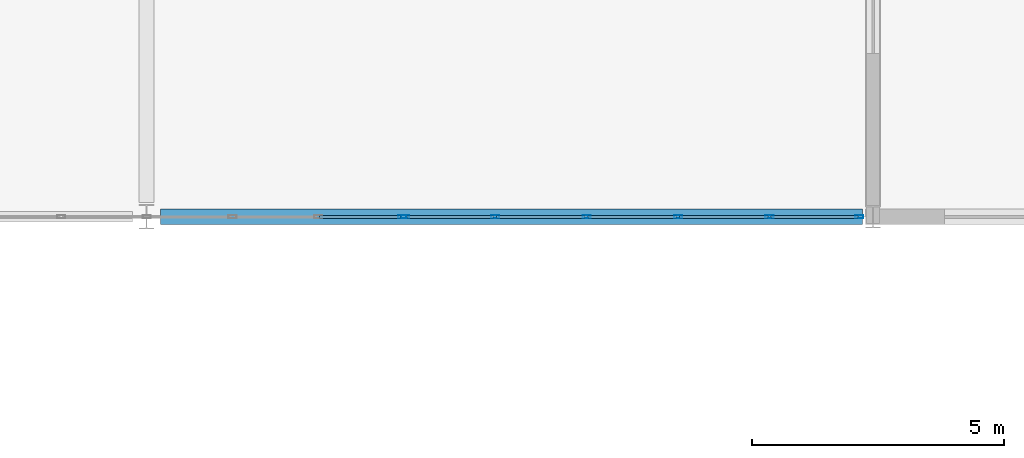
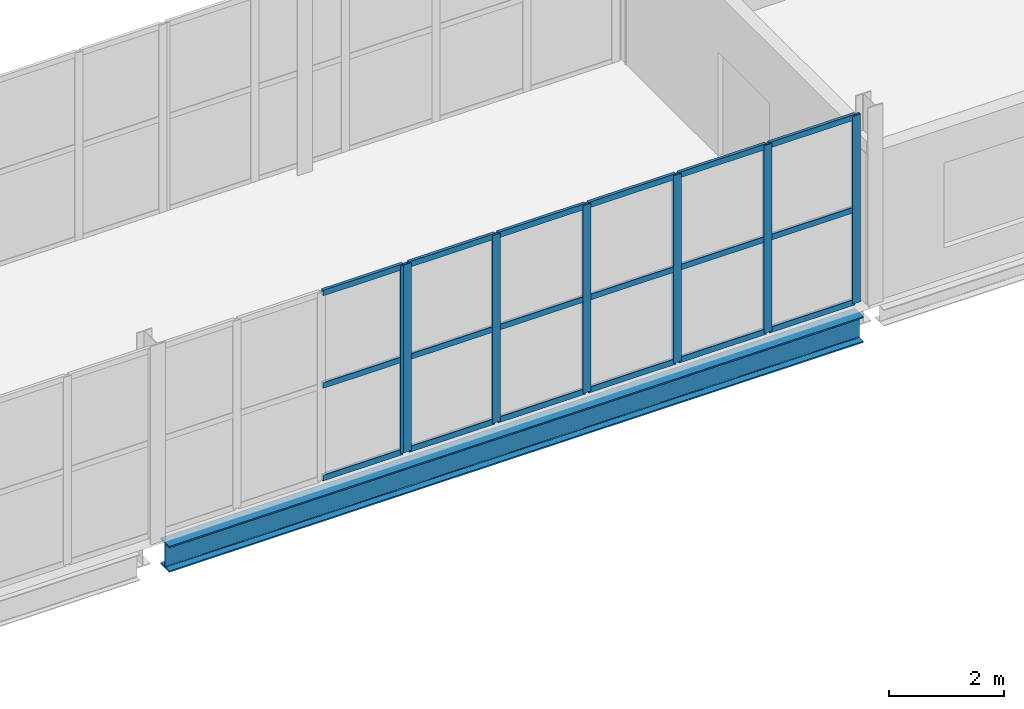
# One storey, part 66 of 121: 25 members, 1 beam, 2 elements without a shape of their own.
"""IFC4 building model written with IfcOpenShell, lengths in metres."""

from ifc_helpers import new_model, si_unit, direction, frame, origin, origin_2d, place, context, subcontext, project, spatial, hollow_rectangle, i_section, extrude, material, layer, layer_set, material_profile, profile_set, type_object, element, aggregate, save


model = new_model("IFC4")

# Units and contexts
model_context = context("Model", 3, precision=1e-05, world=origin(), true_north=direction((0.0, 1.0)))
body_context = subcontext(model_context, "Body", "Model", "MODEL_VIEW")
ifc_project = project(units=[si_unit("LENGTHUNIT", "METRE"), si_unit("AREAUNIT", "SQUARE_METRE"), si_unit("VOLUMEUNIT", "CUBIC_METRE"), si_unit("PLANEANGLEUNIT", "RADIAN"), si_unit("MASSUNIT", "GRAM", prefix="KILO")], contexts=[model_context])

# Site, building, storey
site_placement = place(None, origin())
site = spatial("IfcSite", under=ifc_project, at=site_placement, CompositionType="ELEMENT")
building_placement = place(site_placement, origin())
building = spatial("IfcBuilding", under=site, at=building_placement, Name="Vinh Khe Railworks Police Headquarters", CompositionType="ELEMENT")
storey_placement = place(building_placement, frame((0.0, 0.0, 4.800048828125)))
storey = spatial("IfcBuildingStorey", under=building, at=storey_placement, Name="L01", CompositionType="ELEMENT", Elevation=4.800048828125)

# Curtain wall, member
ifc_material_1 = material(Name="Anodised aluminium and solar-control glass", Category="aluminium")
ifc_layer = layer(ifc_material_1, 0.159912109375)
ifc_layer_set = layer_set([ifc_layer], Name="Anodised aluminium and solar-control glass")
curtain_wall_type = type_object("IfcCurtainWallType", Name="CW-SHOPFRONT", PredefinedType="USERDEFINED", material=ifc_layer_set)
curtain_wall_1_placement = place(storey_placement, origin())
curtain_wall_1 = element("IfcCurtainWall", 1, at=curtain_wall_1_placement, inside=storey, type_object=curtain_wall_type, Name="Link Bridge South Glazing L01 Bay 5", ObjectType="UNITISED GLAZING", PredefinedType="USERDEFINED")
ifc_material_2 = material(Name="Anodised aluminium 6063-T6", Category="aluminium")
ifc_material_profile_1 = material_profile(ifc_material_2, hollow_rectangle(XDim=0.06005859375, YDim=0.159912109375, WallThickness=0.00390625, at=origin_2d()), Name="CW-M 60x160x4")
ifc_profile_set_1 = profile_set([ifc_material_profile_1], Name="Anodised aluminium 6063-T6")
member_type_1 = type_object("IfcMemberType", Name="MULL-CWM-01", PredefinedType="MULLION", material=ifc_profile_set_1)
member_1_placement = place(storey_placement, frame((68.669921875, 96.0, 0.0), z_axis=(0.0, 0.0, 1.0), x_axis=(0.0, 1.0, 0.0)))
member_1 = element("IfcMember", 2, at=member_1_placement, type_object=member_type_1, Name="CW-03 mullion 6", PredefinedType="MULLION", context=body_context, shape_type="SweptSolid", body=[
    extrude(hollow_rectangle(XDim=0.06005859375, YDim=0.159912109375, WallThickness=0.00390625, at=origin_2d()), origin(), (0.0, 0.0, 1.0), 3.97998046875),
])

# Curtain wall, members
curtain_wall_2_placement = place(storey_placement, origin())
curtain_wall_2 = element("IfcCurtainWall", 3, at=curtain_wall_2_placement, inside=storey, type_object=curtain_wall_type, Name="Link Bridge South Glazing L01 Bay 6", ObjectType="UNITISED GLAZING", PredefinedType="USERDEFINED")
member_2_placement = place(storey_placement, frame((68.72998046875, 96.0, 0.0), z_axis=(0.0, 0.0, 1.0), x_axis=(0.0, 1.0, 0.0)))
member_2 = element("IfcMember", 4, at=member_2_placement, type_object=member_type_1, Name="CW-03 mullion 1", PredefinedType="MULLION", context=body_context, shape_type="SweptSolid", body=[
    extrude(hollow_rectangle(XDim=0.06005859375, YDim=0.159912109375, WallThickness=0.00390625, at=origin_2d()), origin(), (0.0, 0.0, 1.0), 3.97998046875),
])
member_3_placement = place(storey_placement, frame((70.511962890625, 96.0, 0.0), z_axis=(0.0, 0.0, 1.0), x_axis=(0.0, 1.0, 0.0)))
member_3 = element("IfcMember", 5, at=member_3_placement, type_object=member_type_1, Name="CW-03 mullion 2", PredefinedType="MULLION", context=body_context, shape_type="SweptSolid", body=[
    extrude(hollow_rectangle(XDim=0.06005859375, YDim=0.159912109375, WallThickness=0.00390625, at=origin_2d()), origin(), (0.0, 0.0, 1.0), 3.97998046875),
])
member_4_placement = place(storey_placement, frame((72.323974609375, 96.0, 0.0), z_axis=(0.0, 0.0, 1.0), x_axis=(0.0, 1.0, 0.0)))
member_4 = element("IfcMember", 6, at=member_4_placement, type_object=member_type_1, Name="CW-03 mullion 3", PredefinedType="MULLION", context=body_context, shape_type="SweptSolid", body=[
    extrude(hollow_rectangle(XDim=0.06005859375, YDim=0.159912109375, WallThickness=0.00390625, at=origin_2d()), origin(), (0.0, 0.0, 1.0), 3.97998046875),
])
member_5_placement = place(storey_placement, frame((74.135986328125, 96.0, 0.0), z_axis=(0.0, 0.0, 1.0), x_axis=(0.0, 1.0, 0.0)))
member_5 = element("IfcMember", 7, at=member_5_placement, type_object=member_type_1, Name="CW-03 mullion 4", PredefinedType="MULLION", context=body_context, shape_type="SweptSolid", body=[
    extrude(hollow_rectangle(XDim=0.06005859375, YDim=0.159912109375, WallThickness=0.00390625, at=origin_2d()), origin(), (0.0, 0.0, 1.0), 3.97998046875),
])
member_6_placement = place(storey_placement, frame((75.947998046875, 96.0, 0.0), z_axis=(0.0, 0.0, 1.0), x_axis=(0.0, 1.0, 0.0)))
member_6 = element("IfcMember", 8, at=member_6_placement, type_object=member_type_1, Name="CW-03 mullion 5", PredefinedType="MULLION", context=body_context, shape_type="SweptSolid", body=[
    extrude(hollow_rectangle(XDim=0.06005859375, YDim=0.159912109375, WallThickness=0.00390625, at=origin_2d()), origin(), (0.0, 0.0, 1.0), 3.97998046875),
])
member_7_placement = place(storey_placement, frame((77.72998046875, 96.0, 0.0), z_axis=(0.0, 0.0, 1.0), x_axis=(0.0, 1.0, 0.0)))
member_7 = element("IfcMember", 9, at=member_7_placement, type_object=member_type_1, Name="CW-03 mullion 6", PredefinedType="MULLION", context=body_context, shape_type="SweptSolid", body=[
    extrude(hollow_rectangle(XDim=0.06005859375, YDim=0.159912109375, WallThickness=0.00390625, at=origin_2d()), origin(), (0.0, 0.0, 1.0), 3.97998046875),
])

# Beam
ifc_material_3 = material(Name="Steel S355JR", Category="steel")
ifc_material_profile_2 = material_profile(ifc_material_3, i_section(OverallWidth=0.300048828125, OverallDepth=0.550048828125, WebThickness=0.014892578125, FlangeThickness=0.029052734375, FilletRadius=0.027099609375, at=origin_2d()), Name="HEB 550")
ifc_profile_set_2 = profile_set([ifc_material_profile_2], Name="Steel S355JR")
beam_type = type_object("IfcBeamType", Name="Steel Girder HEB 550", PredefinedType="BEAM", material=ifc_profile_set_2)
beam_placement = place(storey_placement, frame((63.8798828125, 96.0, -0.51513671875), z_axis=(1.0, 0.0, 0.0), x_axis=(0.0, 1.0, 0.0)))
element("IfcBeam", 10, at=beam_placement, inside=storey, type_object=beam_type, Name="Girder BM-L01-EW-SB-05-0485", PredefinedType="BEAM", context=body_context, shape_type="SweptSolid", body=[
    extrude(i_section(OverallWidth=0.300048828125, OverallDepth=0.550048828125, WebThickness=0.014892578125, FlangeThickness=0.029052734375, FilletRadius=0.027099609375, at=origin_2d()), origin(), (0.0, 0.0, 1.0), 13.9150390625),
])

# Member
ifc_material_profile_3 = material_profile(ifc_material_2, hollow_rectangle(XDim=0.06005859375, YDim=0.1201171875, WallThickness=0.00390625, at=origin_2d()), Name="CW-T 60x120x4")
ifc_profile_set_3 = profile_set([ifc_material_profile_3], Name="Anodised aluminium 6063-T6")
member_type_2 = type_object("IfcMemberType", Name="TRAN-CWT-01", PredefinedType="USERDEFINED", material=ifc_profile_set_3)
member_8_placement = place(storey_placement, frame((67.032958984375, 96.0, 0.030029296875), z_axis=(1.0, 0.0, 0.0), x_axis=(0.0, 1.0, 0.0)))
member_8 = element("IfcMember", 11, at=member_8_placement, type_object=member_type_2, Name="CW-03 transom 5.1", ObjectType="TRANSOM", PredefinedType="USERDEFINED", context=body_context, shape_type="SweptSolid", body=[
    extrude(hollow_rectangle(XDim=0.06005859375, YDim=0.1201171875, WallThickness=0.00390625, at=origin_2d()), origin(), (0.0, 0.0, 1.0), 1.60693359375),
])

member_9_placement = place(storey_placement, frame((67.032958984375, 96.0, 1.989990234375), z_axis=(1.0, 0.0, 0.0), x_axis=(0.0, 1.0, 0.0)))
member_9 = element("IfcMember", 12, at=member_9_placement, type_object=member_type_2, Name="CW-03 transom 5.2", ObjectType="TRANSOM", PredefinedType="USERDEFINED", context=body_context, shape_type="SweptSolid", body=[
    extrude(hollow_rectangle(XDim=0.06005859375, YDim=0.1201171875, WallThickness=0.00390625, at=origin_2d()), origin(), (0.0, 0.0, 1.0), 1.60693359375),
])

member_10_placement = place(storey_placement, frame((67.032958984375, 96.0, 3.949951171875), z_axis=(1.0, 0.0, 0.0), x_axis=(0.0, 1.0, 0.0)))
member_10 = element("IfcMember", 13, at=member_10_placement, type_object=member_type_2, Name="CW-03 transom 5.3", ObjectType="TRANSOM", PredefinedType="USERDEFINED", context=body_context, shape_type="SweptSolid", body=[
    extrude(hollow_rectangle(XDim=0.06005859375, YDim=0.1201171875, WallThickness=0.00390625, at=origin_2d()), origin(), (0.0, 0.0, 1.0), 1.60693359375),
])

aggregate(curtain_wall_1, [member_1, member_8, member_9, member_10])

member_11_placement = place(storey_placement, frame((68.760009765625, 96.0, 0.030029296875), z_axis=(1.0, 0.0, 0.0), x_axis=(0.0, 1.0, 0.0)))
member_11 = element("IfcMember", 14, at=member_11_placement, type_object=member_type_2, Name="CW-03 transom 1.1", ObjectType="TRANSOM", PredefinedType="USERDEFINED", context=body_context, shape_type="SweptSolid", body=[
    extrude(hollow_rectangle(XDim=0.06005859375, YDim=0.1201171875, WallThickness=0.00390625, at=origin_2d()), origin(), (0.0, 0.0, 1.0), 1.721923828125),
])

member_12_placement = place(storey_placement, frame((68.760009765625, 96.0, 1.989990234375), z_axis=(1.0, 0.0, 0.0), x_axis=(0.0, 1.0, 0.0)))
member_12 = element("IfcMember", 15, at=member_12_placement, type_object=member_type_2, Name="CW-03 transom 1.2", ObjectType="TRANSOM", PredefinedType="USERDEFINED", context=body_context, shape_type="SweptSolid", body=[
    extrude(hollow_rectangle(XDim=0.06005859375, YDim=0.1201171875, WallThickness=0.00390625, at=origin_2d()), origin(), (0.0, 0.0, 1.0), 1.721923828125),
])

member_13_placement = place(storey_placement, frame((68.760009765625, 96.0, 3.949951171875), z_axis=(1.0, 0.0, 0.0), x_axis=(0.0, 1.0, 0.0)))
member_13 = element("IfcMember", 16, at=member_13_placement, type_object=member_type_2, Name="CW-03 transom 1.3", ObjectType="TRANSOM", PredefinedType="USERDEFINED", context=body_context, shape_type="SweptSolid", body=[
    extrude(hollow_rectangle(XDim=0.06005859375, YDim=0.1201171875, WallThickness=0.00390625, at=origin_2d()), origin(), (0.0, 0.0, 1.0), 1.721923828125),
])

member_14_placement = place(storey_placement, frame((70.5419921875, 96.0, 0.030029296875), z_axis=(1.0, 0.0, 0.0), x_axis=(0.0, 1.0, 0.0)))
member_14 = element("IfcMember", 17, at=member_14_placement, type_object=member_type_2, Name="CW-03 transom 2.1", ObjectType="TRANSOM", PredefinedType="USERDEFINED", context=body_context, shape_type="SweptSolid", body=[
    extrude(hollow_rectangle(XDim=0.06005859375, YDim=0.1201171875, WallThickness=0.00390625, at=origin_2d()), origin(), (0.0, 0.0, 1.0), 1.751953125),
])

member_15_placement = place(storey_placement, frame((70.5419921875, 96.0, 1.989990234375), z_axis=(1.0, 0.0, 0.0), x_axis=(0.0, 1.0, 0.0)))
member_15 = element("IfcMember", 18, at=member_15_placement, type_object=member_type_2, Name="CW-03 transom 2.2", ObjectType="TRANSOM", PredefinedType="USERDEFINED", context=body_context, shape_type="SweptSolid", body=[
    extrude(hollow_rectangle(XDim=0.06005859375, YDim=0.1201171875, WallThickness=0.00390625, at=origin_2d()), origin(), (0.0, 0.0, 1.0), 1.751953125),
])

member_16_placement = place(storey_placement, frame((70.5419921875, 96.0, 3.949951171875), z_axis=(1.0, 0.0, 0.0), x_axis=(0.0, 1.0, 0.0)))
member_16 = element("IfcMember", 19, at=member_16_placement, type_object=member_type_2, Name="CW-03 transom 2.3", ObjectType="TRANSOM", PredefinedType="USERDEFINED", context=body_context, shape_type="SweptSolid", body=[
    extrude(hollow_rectangle(XDim=0.06005859375, YDim=0.1201171875, WallThickness=0.00390625, at=origin_2d()), origin(), (0.0, 0.0, 1.0), 1.751953125),
])

member_17_placement = place(storey_placement, frame((72.35400390625, 96.0, 0.030029296875), z_axis=(1.0, 0.0, 0.0), x_axis=(0.0, 1.0, 0.0)))
member_17 = element("IfcMember", 20, at=member_17_placement, type_object=member_type_2, Name="CW-03 transom 3.1", ObjectType="TRANSOM", PredefinedType="USERDEFINED", context=body_context, shape_type="SweptSolid", body=[
    extrude(hollow_rectangle(XDim=0.06005859375, YDim=0.1201171875, WallThickness=0.00390625, at=origin_2d()), origin(), (0.0, 0.0, 1.0), 1.751953125),
])

member_18_placement = place(storey_placement, frame((72.35400390625, 96.0, 1.989990234375), z_axis=(1.0, 0.0, 0.0), x_axis=(0.0, 1.0, 0.0)))
member_18 = element("IfcMember", 21, at=member_18_placement, type_object=member_type_2, Name="CW-03 transom 3.2", ObjectType="TRANSOM", PredefinedType="USERDEFINED", context=body_context, shape_type="SweptSolid", body=[
    extrude(hollow_rectangle(XDim=0.06005859375, YDim=0.1201171875, WallThickness=0.00390625, at=origin_2d()), origin(), (0.0, 0.0, 1.0), 1.751953125),
])

member_19_placement = place(storey_placement, frame((72.35400390625, 96.0, 3.949951171875), z_axis=(1.0, 0.0, 0.0), x_axis=(0.0, 1.0, 0.0)))
member_19 = element("IfcMember", 22, at=member_19_placement, type_object=member_type_2, Name="CW-03 transom 3.3", ObjectType="TRANSOM", PredefinedType="USERDEFINED", context=body_context, shape_type="SweptSolid", body=[
    extrude(hollow_rectangle(XDim=0.06005859375, YDim=0.1201171875, WallThickness=0.00390625, at=origin_2d()), origin(), (0.0, 0.0, 1.0), 1.751953125),
])

member_20_placement = place(storey_placement, frame((74.166015625, 96.0, 0.030029296875), z_axis=(1.0, 0.0, 0.0), x_axis=(0.0, 1.0, 0.0)))
member_20 = element("IfcMember", 23, at=member_20_placement, type_object=member_type_2, Name="CW-03 transom 4.1", ObjectType="TRANSOM", PredefinedType="USERDEFINED", context=body_context, shape_type="SweptSolid", body=[
    extrude(hollow_rectangle(XDim=0.06005859375, YDim=0.1201171875, WallThickness=0.00390625, at=origin_2d()), origin(), (0.0, 0.0, 1.0), 1.751953125),
])

member_21_placement = place(storey_placement, frame((74.166015625, 96.0, 1.989990234375), z_axis=(1.0, 0.0, 0.0), x_axis=(0.0, 1.0, 0.0)))
member_21 = element("IfcMember", 24, at=member_21_placement, type_object=member_type_2, Name="CW-03 transom 4.2", ObjectType="TRANSOM", PredefinedType="USERDEFINED", context=body_context, shape_type="SweptSolid", body=[
    extrude(hollow_rectangle(XDim=0.06005859375, YDim=0.1201171875, WallThickness=0.00390625, at=origin_2d()), origin(), (0.0, 0.0, 1.0), 1.751953125),
])

member_22_placement = place(storey_placement, frame((74.166015625, 96.0, 3.949951171875), z_axis=(1.0, 0.0, 0.0), x_axis=(0.0, 1.0, 0.0)))
member_22 = element("IfcMember", 25, at=member_22_placement, type_object=member_type_2, Name="CW-03 transom 4.3", ObjectType="TRANSOM", PredefinedType="USERDEFINED", context=body_context, shape_type="SweptSolid", body=[
    extrude(hollow_rectangle(XDim=0.06005859375, YDim=0.1201171875, WallThickness=0.00390625, at=origin_2d()), origin(), (0.0, 0.0, 1.0), 1.751953125),
])

member_23_placement = place(storey_placement, frame((75.97802734375, 96.0, 0.030029296875), z_axis=(1.0, 0.0, 0.0), x_axis=(0.0, 1.0, 0.0)))
member_23 = element("IfcMember", 26, at=member_23_placement, type_object=member_type_2, Name="CW-03 transom 5.1", ObjectType="TRANSOM", PredefinedType="USERDEFINED", context=body_context, shape_type="SweptSolid", body=[
    extrude(hollow_rectangle(XDim=0.06005859375, YDim=0.1201171875, WallThickness=0.00390625, at=origin_2d()), origin(), (0.0, 0.0, 1.0), 1.721923828125),
])

member_24_placement = place(storey_placement, frame((75.97802734375, 96.0, 1.989990234375), z_axis=(1.0, 0.0, 0.0), x_axis=(0.0, 1.0, 0.0)))
member_24 = element("IfcMember", 27, at=member_24_placement, type_object=member_type_2, Name="CW-03 transom 5.2", ObjectType="TRANSOM", PredefinedType="USERDEFINED", context=body_context, shape_type="SweptSolid", body=[
    extrude(hollow_rectangle(XDim=0.06005859375, YDim=0.1201171875, WallThickness=0.00390625, at=origin_2d()), origin(), (0.0, 0.0, 1.0), 1.721923828125),
])

member_25_placement = place(storey_placement, frame((75.97802734375, 96.0, 3.949951171875), z_axis=(1.0, 0.0, 0.0), x_axis=(0.0, 1.0, 0.0)))
member_25 = element("IfcMember", 28, at=member_25_placement, type_object=member_type_2, Name="CW-03 transom 5.3", ObjectType="TRANSOM", PredefinedType="USERDEFINED", context=body_context, shape_type="SweptSolid", body=[
    extrude(hollow_rectangle(XDim=0.06005859375, YDim=0.1201171875, WallThickness=0.00390625, at=origin_2d()), origin(), (0.0, 0.0, 1.0), 1.721923828125),
])

aggregate(curtain_wall_2, [member_2, member_3, member_4, member_5, member_6, member_7, member_11, member_12, member_13, member_14, member_15, member_16, member_17, member_18, member_19, member_20, member_21, member_22, member_23, member_24, member_25])

save(model, "model.ifc")
